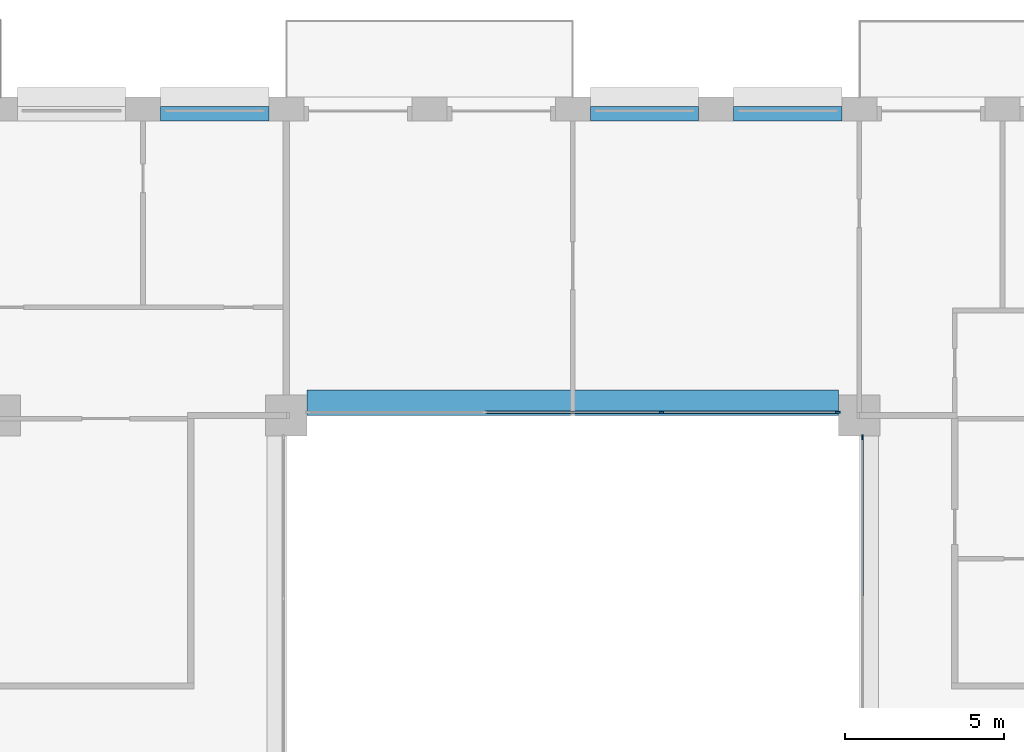
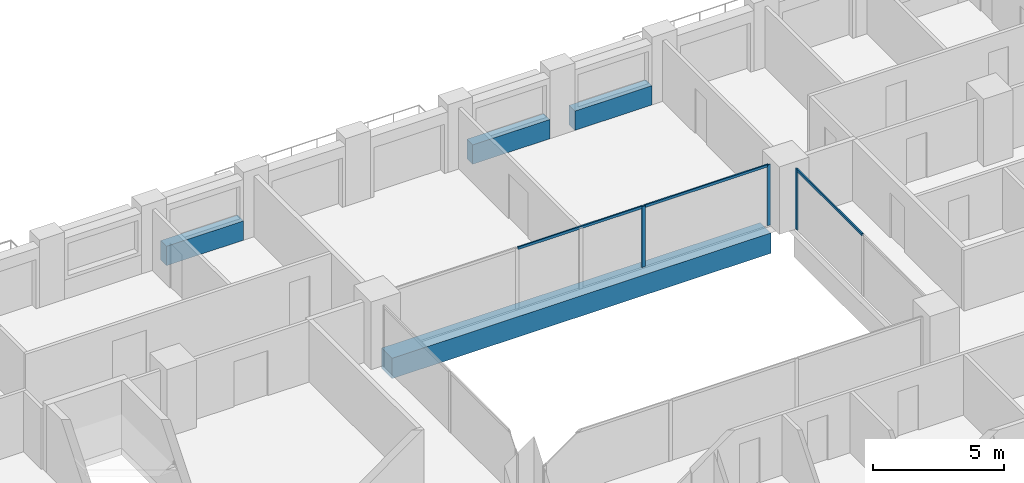
# One storey, part 6 of 16: 6 members, 4 beams, 2 elements without a shape of their own.
"""IFC4 building model written with IfcOpenShell, lengths in metres."""

import ifcopenshell
import ifcopenshell.guid

model = None  # the IFC model being written
_history = None  # IfcOwnerHistory: only IFC2X3 demands one
_inside = {}  # id of a spatial element -> (the spatial element, [elements in it])
_under = {}  # id of a project, library or spatial element -> (it, [spatial elements below it])
_declared = {}  # id of a project -> (the project, [libraries it declares])
_typed = {}  # id of a type object -> (the type object, [elements of that type])
_made_of = {}  # id of a material, layer set ... -> (it, [elements and type objects made of it])


def new_model(schema):
    """Start an empty IFC model of exactly this schema.

    Asked for "IFC4X3", IfcOpenShell would pick the latest addendum, in which some entities
    have other attributes; the version numbers below select the first issue.
    IFC2X3 requires an IfcOwnerHistory on every rooted entity: one is made here for all.
    """
    global model, _history
    if schema == "IFC4X3":
        model = ifcopenshell.file(schema_version=(4, 3, 0, 0))
    else:
        model = ifcopenshell.file(schema=schema)
    _inside.clear()
    _under.clear()
    _declared.clear()
    _typed.clear()
    _made_of.clear()
    _history = None
    if model.schema == "IFC2X3":
        org = make("IfcOrganization", Name="unknown")
        user = make(
            "IfcPersonAndOrganization",
            ThePerson=make("IfcPerson", FamilyName="unknown"),
            TheOrganization=org,
        )
        app = make(
            "IfcApplication",
            ApplicationDeveloper=org,
            Version="unknown",
            ApplicationFullName="unknown",
            ApplicationIdentifier="unknown",
        )
        _history = make(
            "IfcOwnerHistory",
            OwningUser=user,
            OwningApplication=app,
            ChangeAction="ADDED",
            CreationDate=0,
        )
    return model


def make(cls, **values):
    """One entity of the class cls with the attributes given. An attribute that is None is left unset."""
    return model.create_entity(
        cls, **{name: value for name, value in values.items() if value is not None}
    )


def rooted(cls, **values):
    """An entity with a GlobalId (a new one), such as an element, a storey or a relation."""
    return make(cls, GlobalId=ifcopenshell.guid.new(), OwnerHistory=_history, **values)


def si_unit(unit_type, name, prefix=None):
    """IfcSIUnit, for example si_unit("LENGTHUNIT", "METRE", prefix="MILLI")."""
    return make("IfcSIUnit", UnitType=unit_type, Prefix=prefix, Name=name)


def assignment(units):
    """IfcUnitAssignment: the units of a project."""
    return None if units is None else make("IfcUnitAssignment", Units=units)


def point(xyz):
    """IfcCartesianPoint."""
    return None if xyz is None else make("IfcCartesianPoint", Coordinates=xyz)


def direction(xyz):
    """IfcDirection."""
    return None if xyz is None else make("IfcDirection", DirectionRatios=xyz)


def frame(location, z_axis=None, x_axis=None):
    """IfcAxis2Placement3D, a coordinate frame: its origin and axes. An axis left out is left unset."""
    return make(
        "IfcAxis2Placement3D",
        Location=point(location),
        Axis=direction(z_axis),
        RefDirection=direction(x_axis),
    )


def frame_2d(location, x_axis=None):
    """IfcAxis2Placement2D, a coordinate frame in the plane: its origin and x axis."""
    return make(
        "IfcAxis2Placement2D", Location=point(location), RefDirection=direction(x_axis)
    )


def origin():
    """The frame at (0, 0, 0) with its axes left unset."""
    return frame((0.0, 0.0, 0.0))


def origin_2d():
    """The frame at (0, 0) in the plane with its x axis left unset."""
    return frame_2d((0.0, 0.0))


def place(relative_to, where):
    """IfcLocalPlacement: puts the frame where relative to a parent placement (None: the world)."""
    return make(
        "IfcLocalPlacement", PlacementRelTo=relative_to, RelativePlacement=where
    )


def context(
    kind, dimensions, precision=None, world=None, true_north=None, identifier=None
):
    """IfcGeometricRepresentationContext, for example the 3D "Model" context."""
    return make(
        "IfcGeometricRepresentationContext",
        ContextIdentifier=identifier,
        ContextType=kind,
        CoordinateSpaceDimension=dimensions,
        Precision=precision,
        WorldCoordinateSystem=world,
        TrueNorth=true_north,
    )


def subcontext(parent, identifier, kind, view, scale=None):
    """IfcGeometricRepresentationSubContext, for example "Body" below "Model"."""
    return make(
        "IfcGeometricRepresentationSubContext",
        ContextIdentifier=identifier,
        ContextType=kind,
        ParentContext=parent,
        TargetScale=scale,
        TargetView=view,
    )


def project(units=None, contexts=None):
    """IfcProject with its units and contexts."""
    return rooted(
        "IfcProject",
        Name="project",
        RepresentationContexts=contexts,
        UnitsInContext=assignment(units),
    )


def spatial(cls, under=None, at=None, **own):
    """A site, building, storey or space (cls), placed at a placement, below another one or the project."""
    s = rooted(cls, ObjectPlacement=at, **own)
    if under is not None:
        _under.setdefault(under.id(), (under, []))[1].append(s)
    return s


def profile(cls, at=None, kind="AREA", **sizes):
    """A parametric profile (cls). Its sizes go by their IFC names, for example OverallWidth=200.0."""
    return make(cls, ProfileType=kind, Position=at, **sizes)


def rectangle(**sizes):
    """IfcRectangleProfileDef."""
    return profile("IfcRectangleProfileDef", **sizes)


def extrude(swept, where, along, depth):
    """IfcExtrudedAreaSolid: the profile swept, set in the frame where, extruded along a direction by depth."""
    return make(
        "IfcExtrudedAreaSolid",
        SweptArea=swept,
        Position=where,
        ExtrudedDirection=direction(along),
        Depth=depth,
    )


def shape(context_of_items, identifier, shape_type, items):
    """IfcShapeRepresentation: the items that make up one representation, for example the "Body"."""
    return make(
        "IfcShapeRepresentation",
        ContextOfItems=context_of_items,
        RepresentationIdentifier=identifier,
        RepresentationType=shape_type,
        Items=items,
    )


def material(Name=None, Category=None):
    """IfcMaterial."""
    return make("IfcMaterial", Name=Name, Category=Category)


def layer(
    of_material, thickness, ventilated=None, Name=None, Category=None, Priority=None
):
    """IfcMaterialLayer: one layer of a wall or slab, of a material (None: an air gap)."""
    return make(
        "IfcMaterialLayer",
        Material=of_material,
        LayerThickness=thickness,
        IsVentilated=ventilated,
        Name=Name,
        Category=Category,
        Priority=Priority,
    )


def layer_set(layers, Name=None):
    """IfcMaterialLayerSet."""
    return make("IfcMaterialLayerSet", MaterialLayers=layers, LayerSetName=Name)


def material_profile(
    of_material, cross_section, Name=None, Category=None, Priority=None
):
    """IfcMaterialProfile: a cross section and its material."""
    return make(
        "IfcMaterialProfile",
        Name=Name,
        Material=of_material,
        Profile=cross_section,
        Priority=Priority,
        Category=Category,
    )


def profile_set(profiles, Name=None, composite=None):
    """IfcMaterialProfileSet."""
    return make(
        "IfcMaterialProfileSet",
        Name=Name,
        MaterialProfiles=profiles,
        CompositeProfile=composite,
    )


def made_of(thing, what):
    """Note that an element or type object is made of a material, layer set ...; save() writes the relation."""
    if what is not None:
        _made_of.setdefault(what.id(), (what, []))[1].append(thing)
    return thing


def type_object(cls, material=None, **own):
    """A type object (cls), such as IfcWallType, which elements share."""
    return made_of(rooted(cls, **own), material)


def element(
    cls,
    number,
    at=None,
    inside=None,
    cuts=None,
    type_object=None,
    material=None,
    context=None,
    identifier="Body",
    shape_type=None,
    held_by="IfcProductDefinitionShape",
    body=None,
    shapes=None,
    **own,
):
    """One element of the class cls, such as IfcWall. Its Tag is "e" and its number.

    at: its placement. inside: the storey or other place that contains it. cuts: it is an
    opening in that element (IfcRelVoidsElement). A single representation is given by context,
    identifier, shape_type and body (its items); several are given by shapes. held_by: the class
    of the entity that holds the representations. save() writes the other relations.
    """
    e = rooted(cls, Tag="e%d" % number, ObjectPlacement=at, **own)
    if body is not None:
        shapes = [shape(context, identifier, shape_type, body)]
    if shapes is not None:
        e.Representation = make(held_by, Representations=shapes)
    if inside is not None:
        _inside.setdefault(inside.id(), (inside, []))[1].append(e)
    if cuts is not None:
        rooted(
            "IfcRelVoidsElement", RelatingBuildingElement=cuts, RelatedOpeningElement=e
        )
    if type_object is not None:
        _typed.setdefault(type_object.id(), (type_object, []))[1].append(e)
    return made_of(e, material)


def aggregate(whole, parts):
    """IfcRelAggregates: a whole, such as a stair, and the parts it consists of."""
    return rooted("IfcRelAggregates", RelatingObject=whole, RelatedObjects=parts)


def save(model, path):
    """Write the relations noted so far, then the file.

    IfcRelAggregates (storeys below a building ...), IfcRelContainedInSpatialStructure (elements
    in a storey), IfcRelDefinesByType, IfcRelAssociatesMaterial and IfcRelDeclares: one each for
    every whole, place, type object, material and project.
    """
    for whole, parts in _under.values():
        aggregate(whole, parts)
    for where, things in _inside.values():
        rooted(
            "IfcRelContainedInSpatialStructure",
            RelatedElements=things,
            RelatingStructure=where,
        )
    for kind, things in _typed.values():
        rooted("IfcRelDefinesByType", RelatedObjects=things, RelatingType=kind)
    for what, things in _made_of.values():
        rooted("IfcRelAssociatesMaterial", RelatedObjects=things, RelatingMaterial=what)
    for by, libraries in _declared.values():
        rooted("IfcRelDeclares", RelatingContext=by, RelatedDefinitions=libraries)
    model.write(path)


model = new_model("IFC4")

# Units and contexts
model_context = context("Model", 3, precision=1e-05, world=origin(), true_north=direction((0.0, 1.0)))
body_context = subcontext(model_context, "Body", "Model", "MODEL_VIEW")
ifc_project = project(units=[si_unit("LENGTHUNIT", "METRE"), si_unit("AREAUNIT", "SQUARE_METRE"), si_unit("VOLUMEUNIT", "CUBIC_METRE"), si_unit("PLANEANGLEUNIT", "RADIAN"), si_unit("MASSUNIT", "GRAM", prefix="KILO")], contexts=[model_context])

# Site, building, storey
site_placement = place(None, origin())
site = spatial("IfcSite", under=ifc_project, at=site_placement, CompositionType="ELEMENT")
building_placement = place(site_placement, origin())
building = spatial("IfcBuilding", under=site, at=building_placement, Name="Brigalow Station Residences", CompositionType="ELEMENT")
storey_placement = place(building_placement, frame((0.0, 0.0, 102.449951171875)))
storey = spatial("IfcBuildingStorey", under=building, at=storey_placement, Name="L29", CompositionType="ELEMENT", Elevation=102.449951171875)

# Beam
ifc_material_1 = material(Name="Concrete C65", Category="concrete")
ifc_material_profile_1 = material_profile(ifc_material_1, rectangle(XDim=0.800048828125, YDim=0.949951171875, at=origin_2d()), Name="RC800x950")
ifc_profile_set_1 = profile_set([ifc_material_profile_1], Name="Concrete C65")
beam_type_1 = type_object("IfcBeamType", Name="ATRIUM EDGE GIRDER OVER 13.5 M SPAN 800x950 C65", PredefinedType="BEAM", material=ifc_profile_set_1)
beam_placement = place(storey_placement, frame((27.64990234375, 35.89990234375, -0.794921875), z_axis=(1.0, 0.0, 0.0), x_axis=(0.0, 1.0, 0.0)))
element("IfcBeam", 1, at=beam_placement, inside=storey, type_object=beam_type_1, Name="ATRIUM EDGE GIRDER D L29", PredefinedType="BEAM", context=body_context, shape_type="SweptSolid", body=[
    extrude(rectangle(XDim=0.800048828125, YDim=0.949951171875, at=origin_2d()), origin(), (0.0, 0.0, 1.0), 16.7001953125),
])

# Curtain wall, member
ifc_material_2 = material(Name="Aluminium", Category="aluminium")
ifc_layer = layer(ifc_material_2, 0.14990234375)
ifc_layer_set = layer_set([ifc_layer], Name="ATRIUM FIRE-RATED GLAZING CURTAIN WALL")
curtain_wall_type = type_object("IfcCurtainWallType", Name="ATRIUM FIRE-RATED GLAZING CURTAIN WALL", PredefinedType="NOTDEFINED", material=ifc_layer_set)
curtain_wall_1_placement = place(storey_placement, origin())
curtain_wall_1 = element("IfcCurtainWall", 2, at=curtain_wall_1_placement, inside=storey, type_object=curtain_wall_type, Name="L29/cw/atrium-E", PredefinedType="NOTDEFINED")
ifc_material_3 = material(Name="Aluminium", Category="aluminium")
ifc_material_profile_2 = material_profile(ifc_material_3, rectangle(XDim=0.06005859375, YDim=0.14990234375, at=origin_2d()), Name="ATRIUM FIRE-RATED GLAZING MULLION 60x150")
ifc_profile_set_2 = profile_set([ifc_material_profile_2], Name="Aluminium")
member_type_1 = type_object("IfcMemberType", Name="ATRIUM FIRE-RATED GLAZING MULLION 60x150", PredefinedType="MULLION", material=ifc_profile_set_2)
member_1_placement = place(storey_placement, frame((45.10009765625, 34.820068359375, 0.0), z_axis=(0.0, 0.0, 1.0), x_axis=(-1.0, 0.0, 0.0)))
member_1 = element("IfcMember", 3, at=member_1_placement, type_object=member_type_1, Name="L29/cw/atrium-E/M02", PredefinedType="MULLION", context=body_context, shape_type="SweptSolid", body=[
    extrude(rectangle(XDim=0.06005859375, YDim=0.14990234375, at=origin_2d()), origin(), (0.0, 0.0, 1.0), 2.830078125),
])

# Curtain wall, members
curtain_wall_2_placement = place(storey_placement, origin())
curtain_wall_2 = element("IfcCurtainWall", 4, at=curtain_wall_2_placement, inside=storey, type_object=curtain_wall_type, Name="L29/cw/atrium-N", PredefinedType="NOTDEFINED")
member_2_placement = place(storey_placement, frame((44.320068359375, 35.60009765625, 0.0), z_axis=(0.0, 0.0, 1.0), x_axis=(0.0, -1.0, 0.0)))
member_2 = element("IfcMember", 5, at=member_2_placement, type_object=member_type_1, Name="L29/cw/atrium-N/M00", PredefinedType="MULLION", context=body_context, shape_type="SweptSolid", body=[
    extrude(rectangle(XDim=0.06005859375, YDim=0.14990234375, at=origin_2d()), origin(), (0.0, 0.0, 1.0), 2.830078125),
])
member_3_placement = place(storey_placement, frame((38.783203125, 35.60009765625, 0.0), z_axis=(0.0, 0.0, 1.0), x_axis=(0.0, -1.0, 0.0)))
member_3 = element("IfcMember", 6, at=member_3_placement, type_object=member_type_1, Name="L29/cw/atrium-N/M01", PredefinedType="MULLION", context=body_context, shape_type="SweptSolid", body=[
    extrude(rectangle(XDim=0.06005859375, YDim=0.14990234375, at=origin_2d()), origin(), (0.0, 0.0, 1.0), 2.830078125),
])

# Member
ifc_material_4 = material(Name="Aluminium", Category="aluminium")
ifc_material_profile_3 = material_profile(ifc_material_4, rectangle(XDim=0.06005859375, YDim=0.1201171875, at=origin_2d()), Name="ATRIUM FIRE-RATED GLAZING TRANSOM 60x120")
ifc_profile_set_3 = profile_set([ifc_material_profile_3], Name="Aluminium")
member_type_2 = type_object("IfcMemberType", Name="ATRIUM FIRE-RATED GLAZING TRANSOM 60x120", PredefinedType="USERDEFINED", material=ifc_profile_set_3)
member_4_placement = place(storey_placement, frame((45.10009765625, 29.780029296875, 2.800048828125), z_axis=(0.0, 1.0, 0.0), x_axis=(-1.0, 0.0, 0.0)))
member_4 = element("IfcMember", 7, at=member_4_placement, type_object=member_type_2, Name="L29/cw/atrium-E/T01-00", ObjectType="TRANSOM", PredefinedType="USERDEFINED", context=body_context, shape_type="SweptSolid", body=[
    extrude(rectangle(XDim=0.06005859375, YDim=0.1201171875, at=origin_2d()), origin(), (0.0, 0.0, 1.0), 5.010009765625),
])

aggregate(curtain_wall_1, [member_1, member_4])

member_5_placement = place(storey_placement, frame((44.2900390625, 35.60009765625, 2.800048828125), z_axis=(-1.0, 0.0, 0.0), x_axis=(0.0, -1.0, 0.0)))
member_5 = element("IfcMember", 8, at=member_5_placement, type_object=member_type_2, Name="L29/cw/atrium-N/T00-00", ObjectType="TRANSOM", PredefinedType="USERDEFINED", context=body_context, shape_type="SweptSolid", body=[
    extrude(rectangle(XDim=0.06005859375, YDim=0.1201171875, at=origin_2d()), origin(), (0.0, 0.0, 1.0), 5.476806640625),
])

member_6_placement = place(storey_placement, frame((38.75341796875, 35.60009765625, 2.800048828125), z_axis=(-1.0, 0.0, 0.0), x_axis=(0.0, -1.0, 0.0)))
member_6 = element("IfcMember", 9, at=member_6_placement, type_object=member_type_2, Name="L29/cw/atrium-N/T01-00", ObjectType="TRANSOM", PredefinedType="USERDEFINED", context=body_context, shape_type="SweptSolid", body=[
    extrude(rectangle(XDim=0.06005859375, YDim=0.1201171875, at=origin_2d()), origin(), (0.0, 0.0, 1.0), 5.5068359375),
])

aggregate(curtain_wall_2, [member_2, member_3, member_5, member_6])

# Beams
ifc_material_5 = material(Name="Concrete C65", Category="concrete")
ifc_material_profile_4 = material_profile(ifc_material_5, rectangle(XDim=0.449951171875, YDim=0.89990234375, at=origin_2d()), Name="RC450x900")
ifc_profile_set_4 = profile_set([ifc_material_profile_4], Name="Concrete C65")
beam_type_2 = type_object("IfcBeamType", Name="SPANDREL BEAM 450x900 C65", PredefinedType="SPANDREL", material=ifc_profile_set_4)
for number, where, z_axis, x_axis, name in (
    (10, (44.449951171875, 44.97509765625, 0.449951171875), (-1.0, 0.0, 0.0), (0.0, -1.0, 0.0), "L29/spandrel/W-L29-29"),
    (11, (39.949951171875, 44.97509765625, 0.449951171875), (-1.0, 0.0, 0.0), (0.0, -1.0, 0.0), "L29/spandrel/W-L29-30"),
    (12, (26.449951171875, 44.97509765625, 0.449951171875), (-1.0, 0.0, 0.0), (0.0, -1.0, 0.0), "L29/spandrel/W-L29-33"),
):
    element("IfcBeam", number, at=place(storey_placement, frame(where, z_axis=z_axis, x_axis=x_axis)), inside=storey, type_object=beam_type_2, Name=name, PredefinedType="SPANDREL", context=body_context, shape_type="SweptSolid", body=[
        extrude(rectangle(XDim=0.449951171875, YDim=0.89990234375, at=origin_2d()), origin(), (0.0, 0.0, 1.0), 3.39990234375),
    ])

save(model, "model.ifc")
